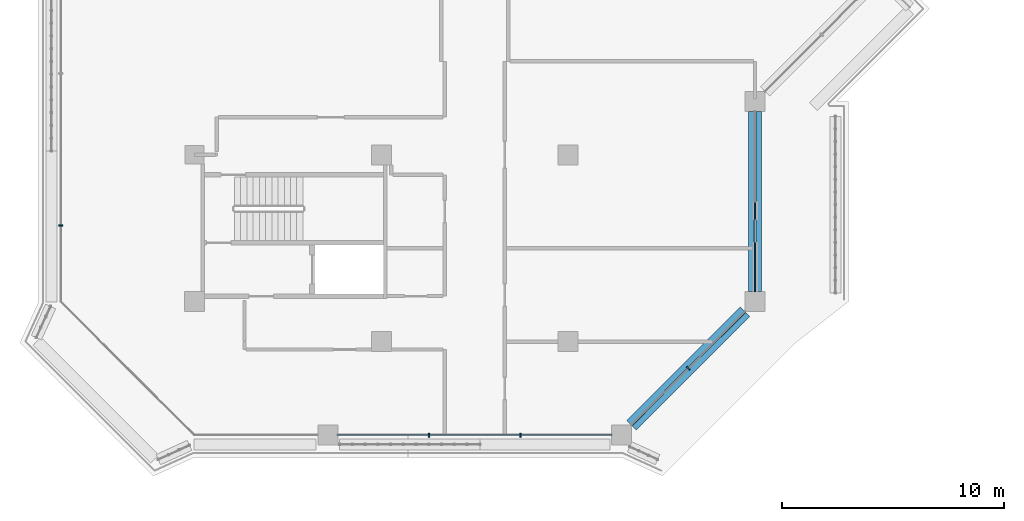
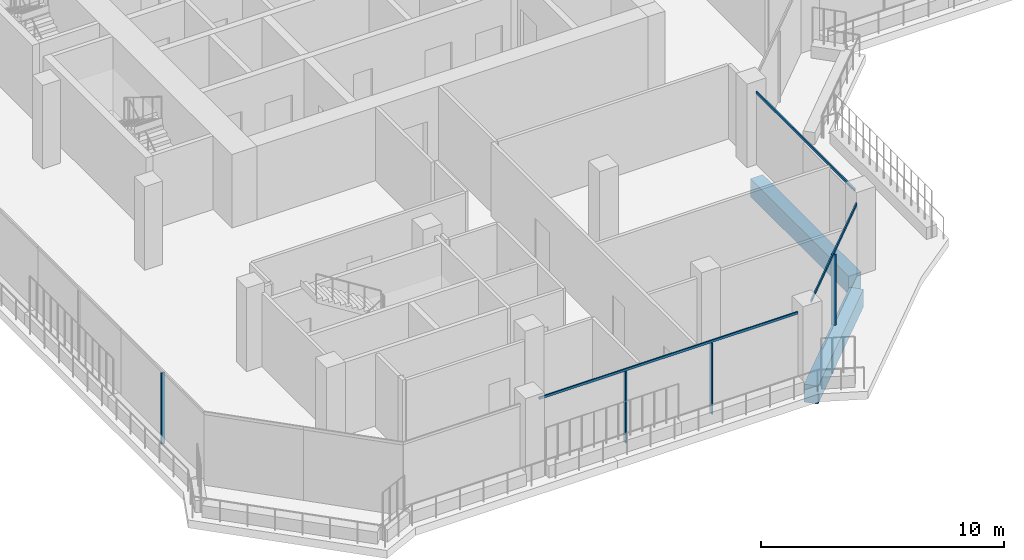
# One storey, part 2 of 23: 7 members, 2 beams, 4 elements without a shape of their own.
"""IFC4 building model written with IfcOpenShell, lengths in metres."""

from ifc_helpers import new_model, si_unit, direction, frame, origin, origin_2d, place, context, subcontext, project, spatial, rectangle, extrude, material, layer, layer_set, material_profile, profile_set, type_object, element, aggregate, save


model = new_model("IFC4")

# Units and contexts
model_context = context("Model", 3, precision=1e-05, world=origin(), true_north=direction((0.0, 1.0)))
body_context = subcontext(model_context, "Body", "Model", "MODEL_VIEW")
ifc_project = project(units=[si_unit("LENGTHUNIT", "METRE"), si_unit("AREAUNIT", "SQUARE_METRE"), si_unit("VOLUMEUNIT", "CUBIC_METRE"), si_unit("PLANEANGLEUNIT", "RADIAN"), si_unit("MASSUNIT", "GRAM", prefix="KILO")], contexts=[model_context])

# Site, building, storey
site_placement = place(None, origin())
site = spatial("IfcSite", under=ifc_project, at=site_placement, CompositionType="ELEMENT")
building_placement = place(site_placement, origin())
building = spatial("IfcBuilding", under=site, at=building_placement, Name="Kawkab Arch Medical Tower", CompositionType="ELEMENT")
storey_placement = place(building_placement, frame((0.0, 0.0, 268.39990234375)))
storey = spatial("IfcBuildingStorey", under=building, at=storey_placement, Name="L62", CompositionType="ELEMENT", Elevation=268.39990234375)

# Curtain wall, member
ifc_material_1 = material(Name="Bronze anodised aluminium curtain wall frame", Category="aluminium")
ifc_layer_1 = layer(ifc_material_1, 0.159912109375)
ifc_layer_set_1 = layer_set([ifc_layer_1], Name="Bronze anodised aluminium curtain wall frame")
curtain_wall_type_1 = type_object("IfcCurtainWallType", Name="CW1 ward curtain wall", PredefinedType="NOTDEFINED", material=ifc_layer_set_1)
placement = place(storey_placement, origin())
curtain_wall_1 = element("IfcCurtainWall", 1, at=placement, inside=storey, type_object=curtain_wall_type_1, Name="CW1 Ward curtain wall R01", PredefinedType="NOTDEFINED")
ifc_material_2 = material(Name="Bronze anodised aluminium curtain wall frame", Category="aluminium")
ifc_material_profile_1 = material_profile(ifc_material_2, rectangle(XDim=0.179931640625, YDim=0.06005859375, at=origin_2d()), Name="AL 60x180")
ifc_profile_set_1 = profile_set([ifc_material_profile_1], Name="Bronze anodised aluminium curtain wall frame")
member_type_1 = type_object("IfcMemberType", Name="CW1 mullion 60 x 180", PredefinedType="MULLION", material=ifc_profile_set_1)
member_1_placement = place(storey_placement, frame((-6.0, -36.780029296875, 0.0), z_axis=(0.0, 0.0, 1.0), x_axis=(1.0, 0.0, 0.0)))
member_1 = element("IfcMember", 2, at=member_1_placement, type_object=member_type_1, Name="CW1 mullion 5.1", PredefinedType="MULLION", context=body_context, shape_type="SweptSolid", body=[
    extrude(rectangle(XDim=0.179931640625, YDim=0.06005859375, at=origin_2d()), origin(), (0.0, 0.0, 1.0), 3.580078125),
])
aggregate(curtain_wall_1, [member_1])

# Curtain wall, members
curtain_wall_2 = element("IfcCurtainWall", 3, at=placement, inside=storey, type_object=curtain_wall_type_1, Name="CW1 Ward curtain wall R03", PredefinedType="NOTDEFINED")
member_2_placement = place(storey_placement, frame((10.550048828125, -46.199951171875, 0.0), z_axis=(0.0, 0.0, 1.0), x_axis=(0.0, 1.0, 0.0)))
member_2 = element("IfcMember", 4, at=member_2_placement, type_object=member_type_1, Name="CW1 mullion 2.1", PredefinedType="MULLION", context=body_context, shape_type="SweptSolid", body=[
    extrude(rectangle(XDim=0.179931640625, YDim=0.06005859375, at=origin_2d()), origin(), (0.0, 0.0, 1.0), 3.580078125),
])
member_3_placement = place(storey_placement, frame((14.64990234375, -46.199951171875, 0.0), z_axis=(0.0, 0.0, 1.0), x_axis=(0.0, 1.0, 0.0)))
member_3 = element("IfcMember", 5, at=member_3_placement, type_object=member_type_1, Name="CW1 mullion 2.2", PredefinedType="MULLION", context=body_context, shape_type="SweptSolid", body=[
    extrude(rectangle(XDim=0.179931640625, YDim=0.06005859375, at=origin_2d()), origin(), (0.0, 0.0, 1.0), 3.580078125),
])
ifc_material_3 = material(Name="Bronze anodised aluminium curtain wall frame", Category="aluminium")
ifc_material_profile_2 = material_profile(ifc_material_3, rectangle(XDim=0.06005859375, YDim=0.1201171875, at=origin_2d()), Name="AL 60x120")
ifc_profile_set_2 = profile_set([ifc_material_profile_2], Name="Bronze anodised aluminium curtain wall frame")
member_type_2 = type_object("IfcMemberType", Name="CW1 transom 120 x 60", PredefinedType="USERDEFINED", material=ifc_profile_set_2)
member_4_placement = place(storey_placement, frame((6.449951171875, -46.199951171875, 3.64013671875), z_axis=(1.0, 0.0, 0.0), x_axis=(0.0, 1.0, 0.0)))
member_4 = element("IfcMember", 6, at=member_4_placement, type_object=member_type_2, Name="CW1 transom 2", ObjectType="TRANSOM", PredefinedType="USERDEFINED", context=body_context, shape_type="SweptSolid", body=[
    extrude(rectangle(XDim=0.06005859375, YDim=0.1201171875, at=origin_2d()), origin(), (0.0, 0.0, 1.0), 12.300048828125),
])
aggregate(curtain_wall_2, [member_4, member_2, member_3])

# Curtain wall, member
curtain_wall_3 = element("IfcCurtainWall", 7, at=placement, inside=storey, type_object=curtain_wall_type_1, Name="CW1 Ward curtain wall R05", PredefinedType="NOTDEFINED")
member_5_placement = place(storey_placement, frame((25.199951171875, -39.75, 3.64013671875), z_axis=(0.0, 1.0, 0.0), x_axis=(-1.0, 0.0, 0.0)))
member_5 = element("IfcMember", 8, at=member_5_placement, type_object=member_type_2, Name="CW1 transom 1", ObjectType="TRANSOM", PredefinedType="USERDEFINED", context=body_context, shape_type="SweptSolid", body=[
    extrude(rectangle(XDim=0.06005859375, YDim=0.1201171875, at=origin_2d()), origin(), (0.0, 0.0, 1.0), 8.10009765625),
])
aggregate(curtain_wall_3, [member_5])

# Curtain wall, members
ifc_material_4 = material(Name="Bronze anodised aluminium curtain wall frame", Category="aluminium")
ifc_layer_2 = layer(ifc_material_4, 0.159912109375)
ifc_layer_set_2 = layer_set([ifc_layer_2], Name="Bronze anodised aluminium curtain wall frame")
curtain_wall_type_2 = type_object("IfcCurtainWallType", Name="CW2 chamfer curtain wall", PredefinedType="NOTDEFINED", material=ifc_layer_set_2)
curtain_wall_4 = element("IfcCurtainWall", 9, at=placement, inside=storey, type_object=curtain_wall_type_2, Name="CW2 Chamfer curtain wall R04", PredefinedType="NOTDEFINED")
ifc_material_5 = material(Name="Bronze anodised aluminium curtain wall frame", Category="aluminium")
ifc_material_profile_3 = material_profile(ifc_material_5, rectangle(XDim=0.199951171875, YDim=0.06005859375, at=origin_2d()), Name="AL 60x200")
ifc_profile_set_3 = profile_set([ifc_material_profile_3], Name="Bronze anodised aluminium curtain wall frame")
member_type_3 = type_object("IfcMemberType", Name="CW2 mullion 60 x 200", PredefinedType="MULLION", material=ifc_profile_set_3)
member_6_placement = place(storey_placement, frame((22.199951171875, -43.199951171875, 0.0), z_axis=(0.0, 0.0, 1.0), x_axis=(-0.707106781187, 0.707106781187, 0.0)))
member_6 = element("IfcMember", 10, at=member_6_placement, type_object=member_type_3, Name="CW2 mullion 1.1", PredefinedType="MULLION", context=body_context, shape_type="SweptSolid", body=[
    extrude(rectangle(XDim=0.199951171875, YDim=0.06005859375, at=origin_2d()), origin(), (0.0, 0.0, 1.0), 3.56005859375),
])
ifc_material_6 = material(Name="Bronze anodised aluminium curtain wall frame", Category="aluminium")
ifc_material_profile_4 = material_profile(ifc_material_6, rectangle(XDim=0.06005859375, YDim=0.139892578125, at=origin_2d()), Name="AL 60x140")
ifc_profile_set_4 = profile_set([ifc_material_profile_4], Name="Bronze anodised aluminium curtain wall frame")
member_type_4 = type_object("IfcMemberType", Name="CW2 transom 140 x 60", PredefinedType="USERDEFINED", material=ifc_profile_set_4)
member_7_placement = place(storey_placement, frame((19.64990234375, -45.75, 3.630126953125), z_axis=(0.707106781187, 0.707106781187, 0.0), x_axis=(-0.707106781187, 0.707106781187, 0.0)))
member_7 = element("IfcMember", 11, at=member_7_placement, type_object=member_type_4, Name="CW2 transom 1", ObjectType="TRANSOM", PredefinedType="USERDEFINED", context=body_context, shape_type="SweptSolid", body=[
    extrude(rectangle(XDim=0.06005859375, YDim=0.139892578125, at=origin_2d()), origin(), (0.0, 0.0, 1.0), 7.212646484375),
])
aggregate(curtain_wall_4, [member_7, member_6])

# Beams
ifc_material_7 = material(Name="Concrete C45/55", Category="concrete")
ifc_material_profile_5 = material_profile(ifc_material_7, rectangle(XDim=0.60009765625, YDim=0.89990234375, at=origin_2d()), Name="RC 600x900")
ifc_profile_set_5 = profile_set([ifc_material_profile_5], Name="Concrete C45/55")
beam_type = type_object("IfcBeamType", Name="RC 600x900 beam C45/55", PredefinedType="BEAM", material=ifc_profile_set_5)
beam_1_placement = place(storey_placement, frame((25.199951171875, -31.64990234375, -1.0498046875), z_axis=(0.0, -1.0, 0.0), x_axis=(1.0, 0.0, 0.0)))
element("IfcBeam", 12, at=beam_1_placement, inside=storey, type_object=beam_type, Name="Overhang edge beam L62-05", PredefinedType="BEAM", context=body_context, shape_type="SweptSolid", body=[
    extrude(rectangle(XDim=0.60009765625, YDim=0.89990234375, at=origin_2d()), origin(), (0.0, 0.0, 1.0), 8.10009765625),
])
beam_2_placement = place(storey_placement, frame((24.75, -40.64990234375, -1.0498046875), z_axis=(-0.707106781187, -0.707106781187, 0.0), x_axis=(0.707106781187, -0.707106781187, 0.0)))
element("IfcBeam", 13, at=beam_2_placement, inside=storey, type_object=beam_type, Name="Overhang edge beam L62-06", PredefinedType="BEAM", context=body_context, shape_type="SweptSolid", body=[
    extrude(rectangle(XDim=0.60009765625, YDim=0.89990234375, at=origin_2d()), origin(), (0.0, 0.0, 1.0), 7.212646484375),
])

save(model, "model.ifc")
